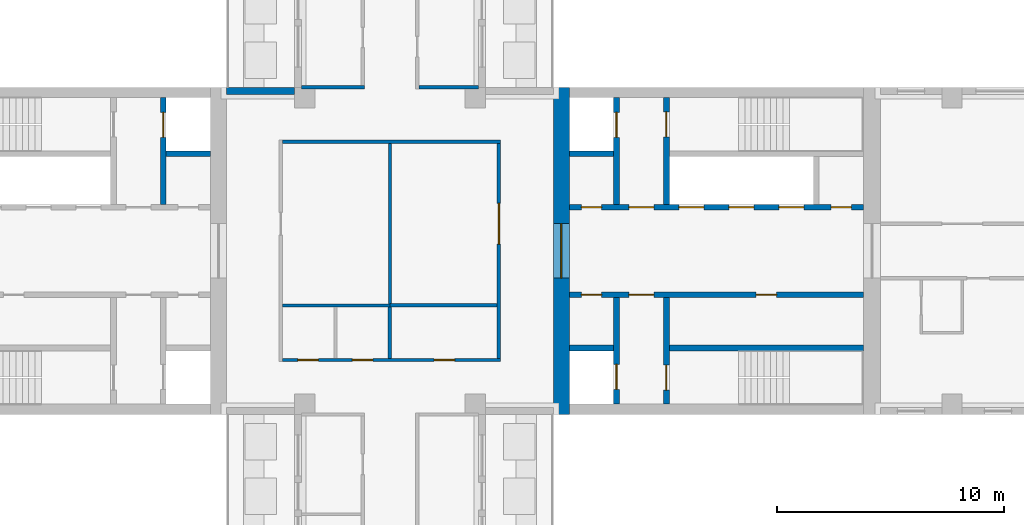
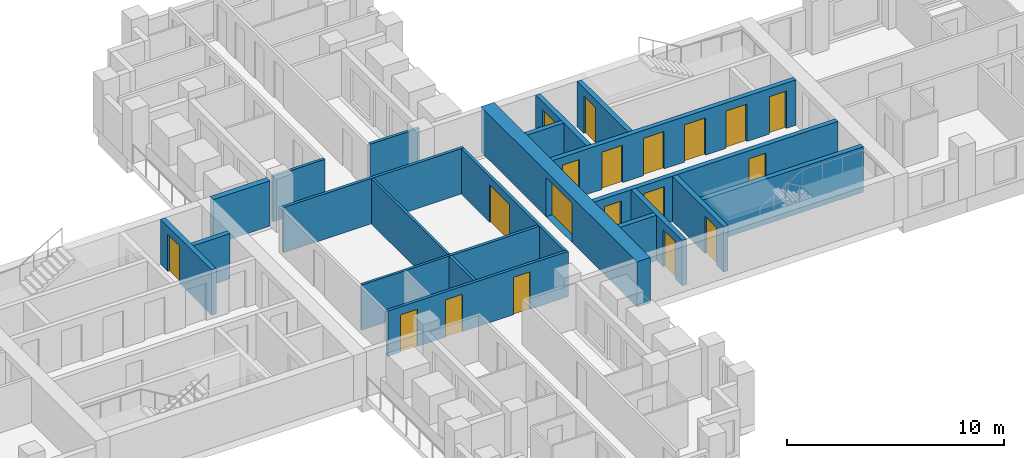
# One storey, part 6 of 12: 22 walls, 19 doors, 19 openings.
"""IFC4 building model written with IfcOpenShell, lengths in metres."""

from ifc_helpers import new_model, si_unit, direction, frame, frame_2d, origin, place, context, subcontext, project, spatial, rectangle, extrude, material, layer, layer_set, type_object, element, fill, save


model = new_model("IFC4")

# Units and contexts
model_context = context("Model", 3, precision=1e-05, world=origin(), true_north=direction((0.0, 1.0)))
body_context = subcontext(model_context, "Body", "Model", "MODEL_VIEW")
ifc_project = project(units=[si_unit("LENGTHUNIT", "METRE"), si_unit("AREAUNIT", "SQUARE_METRE"), si_unit("VOLUMEUNIT", "CUBIC_METRE"), si_unit("PLANEANGLEUNIT", "RADIAN"), si_unit("MASSUNIT", "GRAM", prefix="KILO")], contexts=[model_context])

# Site, building, storey
site_placement = place(None, origin())
site = spatial("IfcSite", under=ifc_project, at=site_placement, CompositionType="ELEMENT")
building_placement = place(site_placement, origin())
building = spatial("IfcBuilding", under=site, at=building_placement, Name="Fustian Cross Tower", CompositionType="ELEMENT")
storey_placement = place(building_placement, frame((0.0, 0.0, 159.300048828125)))
storey = spatial("IfcBuildingStorey", under=building, at=storey_placement, Name="L50", CompositionType="ELEMENT", Elevation=159.300048828125)

# Wall, openings, doors
ifc_material_1 = material(Name="Plasterboard on steel stud", Category="steel")
ifc_layer_1 = layer(ifc_material_1, 0.14990234375)
ifc_layer_set_1 = layer_set([ifc_layer_1], Name="Plasterboard on steel stud")
wall_type_1 = type_object("IfcWallType", Name="COMPARTMENT WALL 150 EI 60", PredefinedType="PARTITIONING", material=ifc_layer_set_1)
wall_1_placement = place(storey_placement, frame((-4.72509765625, -4.800048828125, 0.0), z_axis=(0.0, 0.0, 1.0), x_axis=(1.0, 0.0, 0.0)))
wall_1 = element("IfcWall", 1, at=wall_1_placement, inside=storey, type_object=wall_type_1, Name="Partition 13", PredefinedType="PARTITIONING", context=body_context, shape_type="SweptSolid", body=[
    extrude(rectangle(XDim=9.60009765625, YDim=0.14990234375, at=frame_2d((4.800048828125, 0.0))), origin(), (0.0, 0.0, 1.0), 2.550048828125),
])
opening_1_placement = place(wall_1_placement, frame((0.675048828125, 0.0, 0.0)))
opening_1 = element("IfcOpeningElement", 2, at=opening_1_placement, cuts=wall_1, Name="Opening D22001", PredefinedType="OPENING", context=body_context, shape_type="SweptSolid", body=[
    extrude(rectangle(XDim=0.89990234375, YDim=2.10009765625, at=frame_2d((0.449951171875, 1.050048828125))), frame((0.0, 0.0849609375, 0.0), z_axis=(0.0, -1.0, 0.0), x_axis=(1.0, 0.0, 0.0)), (0.0, 0.0, 1.0), 0.169921875),
])
opening_2_placement = place(wall_1_placement, frame((3.074951171875, 0.0, 0.0)))
opening_2 = element("IfcOpeningElement", 3, at=opening_2_placement, cuts=wall_1, Name="Opening D22002", PredefinedType="OPENING", context=body_context, shape_type="SweptSolid", body=[
    extrude(rectangle(XDim=0.89990234375, YDim=2.10009765625, at=frame_2d((0.449951171875, 1.050048828125))), frame((0.0, 0.0849609375, 0.0), z_axis=(0.0, -1.0, 0.0), x_axis=(1.0, 0.0, 0.0)), (0.0, 0.0, 1.0), 0.169921875),
])
opening_3_placement = place(wall_1_placement, frame((6.675048828125, 0.0, 0.0)))
opening_3 = element("IfcOpeningElement", 4, at=opening_3_placement, cuts=wall_1, Name="Opening D22003", PredefinedType="OPENING", context=body_context, shape_type="SweptSolid", body=[
    extrude(rectangle(XDim=0.89990234375, YDim=2.10009765625, at=frame_2d((0.449951171875, 1.050048828125))), frame((0.0, 0.0849609375, 0.0), z_axis=(0.0, -1.0, 0.0), x_axis=(1.0, 0.0, 0.0)), (0.0, 0.0, 1.0), 0.169921875),
])
ifc_material_2 = material(Name="Timber fire door set", Category="wood")
door_type_1 = type_object("IfcDoorType", Name="FIRE SWING DOOR 900 FD30S", OperationType="SINGLE_SWING_LEFT", PredefinedType="DOOR", material=ifc_material_2)
door_1_placement = place(opening_1_placement, origin())
door_1 = element("IfcDoor", 5, at=door_1_placement, inside=storey, type_object=door_type_1, Name="Door D22001", OperationType="SINGLE_SWING_LEFT", OverallHeight=2.10009765625, OverallWidth=0.89990234375, PredefinedType="DOOR", context=body_context, shape_type="SweptSolid", body=[
    extrude(rectangle(XDim=0.89990234375, YDim=2.10009765625, at=frame_2d((0.449951171875, 1.050048828125))), frame((0.0, 0.02490234375, 0.0), z_axis=(0.0, -1.0, 0.0), x_axis=(1.0, 0.0, 0.0)), (0.0, 0.0, 1.0), 0.050048828125),
])
fill(opening_1, door_1)
door_2_placement = place(opening_2_placement, origin())
door_2 = element("IfcDoor", 6, at=door_2_placement, inside=storey, type_object=door_type_1, Name="Door D22002", OperationType="SINGLE_SWING_LEFT", OverallHeight=2.10009765625, OverallWidth=0.89990234375, PredefinedType="DOOR", context=body_context, shape_type="SweptSolid", body=[
    extrude(rectangle(XDim=0.89990234375, YDim=2.10009765625, at=frame_2d((0.449951171875, 1.050048828125))), frame((0.0, 0.02490234375, 0.0), z_axis=(0.0, -1.0, 0.0), x_axis=(1.0, 0.0, 0.0)), (0.0, 0.0, 1.0), 0.050048828125),
])
fill(opening_2, door_2)
door_3_placement = place(opening_3_placement, origin())
door_3 = element("IfcDoor", 7, at=door_3_placement, inside=storey, type_object=door_type_1, Name="Door D22003", OperationType="SINGLE_SWING_LEFT", OverallHeight=2.10009765625, OverallWidth=0.89990234375, PredefinedType="DOOR", context=body_context, shape_type="SweptSolid", body=[
    extrude(rectangle(XDim=0.89990234375, YDim=2.10009765625, at=frame_2d((0.449951171875, 1.050048828125))), frame((0.0, 0.02490234375, 0.0), z_axis=(0.0, -1.0, 0.0), x_axis=(1.0, 0.0, 0.0)), (0.0, 0.0, 1.0), 0.050048828125),
])
fill(opening_3, door_3)

# Walls
wall_2_placement = place(storey_placement, frame((-4.72509765625, 4.800048828125, 0.0), z_axis=(0.0, 0.0, 1.0), x_axis=(1.0, 0.0, 0.0)))
element("IfcWall", 8, at=wall_2_placement, inside=storey, type_object=wall_type_1, Name="Partition 15", PredefinedType="PARTITIONING", context=body_context, shape_type="SweptSolid", body=[
    extrude(rectangle(XDim=9.60009765625, YDim=0.14990234375, at=frame_2d((4.800048828125, 0.0))), origin(), (0.0, 0.0, 1.0), 2.550048828125),
])
wall_3_placement = place(storey_placement, frame((-3.89990234375, 7.199951171875, 0.0), z_axis=(0.0, 0.0, 1.0), x_axis=(1.0, 0.0, 0.0)))
element("IfcWall", 9, at=wall_3_placement, inside=storey, type_object=wall_type_1, Name="Partition 19", PredefinedType="PARTITIONING", context=body_context, shape_type="SweptSolid", body=[
    extrude(rectangle(XDim=2.77490234375, YDim=0.14990234375, at=frame_2d((1.387451171875, 0.0))), origin(), (0.0, 0.0, 1.0), 2.550048828125),
])
wall_4_placement = place(storey_placement, frame((0.0, -4.72509765625, 0.0), z_axis=(0.0, 0.0, 1.0), x_axis=(0.0, 1.0, 0.0)))
element("IfcWall", 10, at=wall_4_placement, inside=storey, type_object=wall_type_1, Name="Partition 29", PredefinedType="PARTITIONING", context=body_context, shape_type="SweptSolid", body=[
    extrude(rectangle(XDim=2.25, YDim=0.14990234375, at=frame_2d((1.125, 0.0))), origin(), (0.0, 0.0, 1.0), 2.550048828125),
])
wall_5_placement = place(storey_placement, frame((0.0, -2.39990234375, 0.0), z_axis=(0.0, 0.0, 1.0), x_axis=(1.0, 0.0, 0.0)))
element("IfcWall", 11, at=wall_5_placement, inside=storey, type_object=wall_type_1, Name="Partition 31", PredefinedType="PARTITIONING", context=body_context, shape_type="SweptSolid", body=[
    extrude(rectangle(XDim=4.72509765625, YDim=0.14990234375, at=frame_2d((2.362548828125, 0.0))), origin(), (0.0, 0.0, 1.0), 2.550048828125),
])
wall_6_placement = place(storey_placement, frame((1.27490234375, 7.199951171875, 0.0), z_axis=(0.0, 0.0, 1.0), x_axis=(1.0, 0.0, 0.0)))
element("IfcWall", 12, at=wall_6_placement, inside=storey, type_object=wall_type_1, Name="Partition 38", PredefinedType="PARTITIONING", context=body_context, shape_type="SweptSolid", body=[
    extrude(rectangle(XDim=2.625, YDim=0.14990234375, at=frame_2d((1.3125, 0.0))), origin(), (0.0, 0.0, 1.0), 2.550048828125),
])

# Wall, opening, door
wall_7_placement = place(storey_placement, frame((4.800048828125, -4.72509765625, 0.0), z_axis=(0.0, 0.0, 1.0), x_axis=(0.0, 1.0, 0.0)))
wall_7 = element("IfcWall", 13, at=wall_7_placement, inside=storey, type_object=wall_type_1, Name="Partition 44", PredefinedType="PARTITIONING", context=body_context, shape_type="SweptSolid", body=[
    extrude(rectangle(XDim=9.4501953125, YDim=0.14990234375, at=frame_2d((4.72509765625, 0.0))), origin(), (0.0, 0.0, 1.0), 2.550048828125),
])
opening_4_placement = place(wall_7_placement, frame((5.02490234375, 0.0, 0.0)))
opening_4 = element("IfcOpeningElement", 14, at=opening_4_placement, cuts=wall_7, Name="Opening D22005", PredefinedType="OPENING", context=body_context, shape_type="SweptSolid", body=[
    extrude(rectangle(XDim=1.800048828125, YDim=2.10009765625, at=frame_2d((0.89990234375, 1.050048828125))), frame((0.0, 0.0849609375, 0.0), z_axis=(0.0, -1.0, 0.0), x_axis=(1.0, 0.0, 0.0)), (0.0, 0.0, 1.0), 0.169921875),
])
ifc_material_3 = material(Name="Timber fire door set", Category="wood")
door_type_2 = type_object("IfcDoorType", Name="FIRE DOUBLE DOOR 1800 FD30S", OperationType="DOUBLE_DOOR_DOUBLE_SWING", PredefinedType="DOOR", material=ifc_material_3)
door_4_placement = place(opening_4_placement, frame((1.800048828125, 0.0, 0.0), z_axis=(0.0, 0.0, 1.0), x_axis=(-1.0, 0.0, 0.0)))
door_4 = element("IfcDoor", 15, at=door_4_placement, inside=storey, type_object=door_type_2, Name="Door D22005", OperationType="DOUBLE_DOOR_DOUBLE_SWING", OverallHeight=2.10009765625, OverallWidth=1.800048828125, PredefinedType="DOOR", context=body_context, shape_type="SweptSolid", body=[
    extrude(rectangle(XDim=1.800048828125, YDim=2.10009765625, at=frame_2d((0.89990234375, 1.050048828125))), frame((0.0, 0.02490234375, 0.0), z_axis=(0.0, -1.0, 0.0), x_axis=(1.0, 0.0, 0.0)), (0.0, 0.0, 1.0), 0.050048828125),
])
fill(opening_4, door_4)

ifc_material_4 = material(Name="Concrete C60/75", Category="concrete")
ifc_layer_2 = layer(ifc_material_4, 0.699951171875)
ifc_layer_set_2 = layer_set([ifc_layer_2], Name="Concrete C60/75")
wall_type_2 = type_object("IfcWallType", Name="CORE END WALL 700 C60/75", PredefinedType="SHEAR", material=ifc_layer_set_2)
wall_8_placement = place(storey_placement, frame((7.550048828125, -7.199951171875, 0.0), z_axis=(0.0, 0.0, 1.0), x_axis=(0.0, 1.0, 0.0)))
wall_8 = element("IfcWall", 16, at=wall_8_placement, inside=storey, type_object=wall_type_2, Name="Core end wall", PredefinedType="SHEAR", context=body_context, shape_type="SweptSolid", body=[
    extrude(rectangle(XDim=14.39990234375, YDim=0.699951171875, at=frame_2d((7.199951171875, 0.0))), origin(), (0.0, 0.0, 1.0), 2.550048828125),
])
opening_5_placement = place(wall_8_placement, frame((6.0, 0.0, 0.0)))
opening_5 = element("IfcOpeningElement", 17, at=opening_5_placement, cuts=wall_8, Name="Opening CD-19-12", PredefinedType="OPENING", context=body_context, shape_type="SweptSolid", body=[
    extrude(rectangle(XDim=2.39990234375, YDim=2.199951171875, at=frame_2d((1.199951171875, 1.10009765625))), frame((0.0, 0.35986328125, 0.0), z_axis=(0.0, -1.0, 0.0), x_axis=(1.0, 0.0, 0.0)), (0.0, 0.0, 1.0), 0.719970703125),
])
ifc_material_5 = material(Name="Steel", Category="steel")
door_type_3 = type_object("IfcDoorType", Name="FIRE DOOR FD30S DOUBLE 2400X2200", OperationType="DOUBLE_DOOR_DOUBLE_SWING", PredefinedType="DOOR", material=ifc_material_5)
door_5_placement = place(opening_5_placement, origin())
door_5 = element("IfcDoor", 18, at=door_5_placement, inside=storey, type_object=door_type_3, Name="Core door CD-19-12", OperationType="DOUBLE_DOOR_DOUBLE_SWING", OverallHeight=2.199951171875, OverallWidth=2.39990234375, PredefinedType="DOOR", context=body_context, shape_type="SweptSolid", body=[
    extrude(rectangle(XDim=2.39990234375, YDim=2.199951171875, at=frame_2d((1.199951171875, 1.10009765625))), frame((0.0, 0.02490234375, 0.0), z_axis=(0.0, -1.0, 0.0), x_axis=(1.0, 0.0, 0.0)), (0.0, 0.0, 1.0), 0.050048828125),
])
fill(opening_5, door_5)

# Wall, openings, doors
ifc_material_6 = material(Name="Concrete C50/60", Category="concrete")
ifc_layer_3 = layer(ifc_material_6, 0.25)
ifc_layer_set_3 = layer_set([ifc_layer_3], Name="Concrete C50/60")
wall_type_3 = type_object("IfcWallType", Name="CORE LOBBY WALL 250 C50/60", PredefinedType="SHEAR", material=ifc_layer_set_3)
wall_9_placement = place(storey_placement, frame((7.89990234375, 1.925048828125, 0.0), z_axis=(0.0, 0.0, 1.0), x_axis=(1.0, 0.0, 0.0)))
wall_9 = element("IfcWall", 19, at=wall_9_placement, inside=storey, type_object=wall_type_3, Name="Core lobby wall", PredefinedType="SHEAR", context=body_context, shape_type="SweptSolid", body=[
    extrude(rectangle(XDim=12.9501953125, YDim=0.25, at=frame_2d((6.47509765625, 0.0))), origin(), (0.0, 0.0, 1.0), 2.550048828125),
])
opening_6_placement = place(wall_9_placement, frame((4.824951171875, 0.0, 0.0)))
opening_6 = element("IfcOpeningElement", 20, at=opening_6_placement, cuts=wall_9, Name="Opening LD", PredefinedType="OPENING", context=body_context, shape_type="SweptSolid", body=[
    extrude(rectangle(XDim=1.10009765625, YDim=2.10009765625, at=frame_2d((0.550048828125, 1.050048828125))), frame((0.0, 0.135009765625, 0.0), z_axis=(0.0, -1.0, 0.0), x_axis=(1.0, 0.0, 0.0)), (0.0, 0.0, 1.0), 0.27001953125),
])
opening_7_placement = place(wall_9_placement, frame((7.02490234375, 0.0, 0.0)))
opening_7 = element("IfcOpeningElement", 21, at=opening_7_placement, cuts=wall_9, Name="Opening LD", PredefinedType="OPENING", context=body_context, shape_type="SweptSolid", body=[
    extrude(rectangle(XDim=1.10009765625, YDim=2.10009765625, at=frame_2d((0.550048828125, 1.050048828125))), frame((0.0, 0.135009765625, 0.0), z_axis=(0.0, -1.0, 0.0), x_axis=(1.0, 0.0, 0.0)), (0.0, 0.0, 1.0), 0.27001953125),
])
opening_8_placement = place(wall_9_placement, frame((9.22509765625, 0.0, 0.0)))
opening_8 = element("IfcOpeningElement", 22, at=opening_8_placement, cuts=wall_9, Name="Opening LD", PredefinedType="OPENING", context=body_context, shape_type="SweptSolid", body=[
    extrude(rectangle(XDim=1.10009765625, YDim=2.10009765625, at=frame_2d((0.550048828125, 1.050048828125))), frame((0.0, 0.135009765625, 0.0), z_axis=(0.0, -1.0, 0.0), x_axis=(1.0, 0.0, 0.0)), (0.0, 0.0, 1.0), 0.27001953125),
])
opening_9_placement = place(wall_9_placement, frame((0.52490234375, 0.0, 0.0)))
opening_9 = element("IfcOpeningElement", 23, at=opening_9_placement, cuts=wall_9, Name="Opening CD-19-08", PredefinedType="OPENING", context=body_context, shape_type="SweptSolid", body=[
    extrude(rectangle(XDim=0.89990234375, YDim=2.10009765625, at=frame_2d((0.449951171875, 1.050048828125))), frame((0.0, 0.135009765625, 0.0), z_axis=(0.0, -1.0, 0.0), x_axis=(1.0, 0.0, 0.0)), (0.0, 0.0, 1.0), 0.27001953125),
])
opening_10_placement = place(wall_9_placement, frame((2.625, 0.0, 0.0)))
opening_10 = element("IfcOpeningElement", 24, at=opening_10_placement, cuts=wall_9, Name="Opening CD-19-10", PredefinedType="OPENING", context=body_context, shape_type="SweptSolid", body=[
    extrude(rectangle(XDim=1.10009765625, YDim=2.10009765625, at=frame_2d((0.550048828125, 1.050048828125))), frame((0.0, 0.135009765625, 0.0), z_axis=(0.0, -1.0, 0.0), x_axis=(1.0, 0.0, 0.0)), (0.0, 0.0, 1.0), 0.27001953125),
])
opening_11_placement = place(wall_9_placement, frame((11.52490234375, 0.0, 0.0)))
opening_11 = element("IfcOpeningElement", 25, at=opening_11_placement, cuts=wall_9, Name="Opening CD-19-14", PredefinedType="OPENING", context=body_context, shape_type="SweptSolid", body=[
    extrude(rectangle(XDim=0.89990234375, YDim=2.10009765625, at=frame_2d((0.449951171875, 1.050048828125))), frame((0.0, 0.135009765625, 0.0), z_axis=(0.0, -1.0, 0.0), x_axis=(1.0, 0.0, 0.0)), (0.0, 0.0, 1.0), 0.27001953125),
])
ifc_material_7 = material(Name="Steel", Category="steel")
door_type_4 = type_object("IfcDoorType", Name="FIRE DOOR FD30S 900X2100", OperationType="SINGLE_SWING_LEFT", PredefinedType="DOOR", material=ifc_material_7)
door_6_placement = place(opening_11_placement, origin())
door_6 = element("IfcDoor", 26, at=door_6_placement, inside=storey, type_object=door_type_4, Name="Core door CD-19-14", OperationType="SINGLE_SWING_LEFT", OverallHeight=2.10009765625, OverallWidth=0.89990234375, PredefinedType="DOOR", context=body_context, shape_type="SweptSolid", body=[
    extrude(rectangle(XDim=0.89990234375, YDim=2.10009765625, at=frame_2d((0.449951171875, 1.050048828125))), frame((0.0, 0.02490234375, 0.0), z_axis=(0.0, -1.0, 0.0), x_axis=(1.0, 0.0, 0.0)), (0.0, 0.0, 1.0), 0.050048828125),
])
fill(opening_11, door_6)
ifc_material_8 = material(Name="Steel", Category="steel")
door_type_5 = type_object("IfcDoorType", Name="FIRE DOOR FD60S 1100X2100", OperationType="SINGLE_SWING_LEFT", PredefinedType="DOOR", material=ifc_material_8)
door_7_placement = place(opening_10_placement, frame((1.10009765625, 0.0, 0.0), z_axis=(0.0, 0.0, 1.0), x_axis=(-1.0, 0.0, 0.0)))
door_7 = element("IfcDoor", 27, at=door_7_placement, inside=storey, type_object=door_type_5, Name="Core door CD-19-10", OperationType="SINGLE_SWING_RIGHT", OverallHeight=2.10009765625, OverallWidth=1.10009765625, PredefinedType="DOOR", context=body_context, shape_type="SweptSolid", body=[
    extrude(rectangle(XDim=1.10009765625, YDim=2.10009765625, at=frame_2d((0.550048828125, 1.050048828125))), frame((0.0, 0.02490234375, 0.0), z_axis=(0.0, -1.0, 0.0), x_axis=(1.0, 0.0, 0.0)), (0.0, 0.0, 1.0), 0.050048828125),
])
fill(opening_10, door_7)
ifc_material_9 = material(Name="Steel", Category="steel")
door_type_6 = type_object("IfcDoorType", Name="FIRE DOOR FD60S 900X2100", OperationType="SINGLE_SWING_LEFT", PredefinedType="DOOR", material=ifc_material_9)
door_8_placement = place(opening_9_placement, origin())
door_8 = element("IfcDoor", 28, at=door_8_placement, inside=storey, type_object=door_type_6, Name="Core door CD-19-08", OperationType="SINGLE_SWING_LEFT", OverallHeight=2.10009765625, OverallWidth=0.89990234375, PredefinedType="DOOR", context=body_context, shape_type="SweptSolid", body=[
    extrude(rectangle(XDim=0.89990234375, YDim=2.10009765625, at=frame_2d((0.449951171875, 1.050048828125))), frame((0.0, 0.02490234375, 0.0), z_axis=(0.0, -1.0, 0.0), x_axis=(1.0, 0.0, 0.0)), (0.0, 0.0, 1.0), 0.050048828125),
])
fill(opening_9, door_8)
ifc_material_10 = material(Name="Stainless steel", Category="steel")
door_type_7 = type_object("IfcDoorType", Name="LIFT LANDING DOOR 1100X2100", OperationType="SLIDING_TO_LEFT", PredefinedType="DOOR", material=ifc_material_10)
door_9_placement = place(opening_6_placement, origin())
door_9 = element("IfcDoor", 29, at=door_9_placement, inside=storey, type_object=door_type_7, Name="Landing door HR1", OperationType="SLIDING_TO_LEFT", OverallHeight=2.10009765625, OverallWidth=1.10009765625, PredefinedType="DOOR", context=body_context, shape_type="SweptSolid", body=[
    extrude(rectangle(XDim=1.10009765625, YDim=2.10009765625, at=frame_2d((0.550048828125, 1.050048828125))), frame((0.0, 0.02490234375, 0.0), z_axis=(0.0, -1.0, 0.0), x_axis=(1.0, 0.0, 0.0)), (0.0, 0.0, 1.0), 0.050048828125),
])
fill(opening_6, door_9)
door_10_placement = place(opening_7_placement, origin())
door_10 = element("IfcDoor", 30, at=door_10_placement, inside=storey, type_object=door_type_7, Name="Landing door HR2", OperationType="SLIDING_TO_LEFT", OverallHeight=2.10009765625, OverallWidth=1.10009765625, PredefinedType="DOOR", context=body_context, shape_type="SweptSolid", body=[
    extrude(rectangle(XDim=1.10009765625, YDim=2.10009765625, at=frame_2d((0.550048828125, 1.050048828125))), frame((0.0, 0.02490234375, 0.0), z_axis=(0.0, -1.0, 0.0), x_axis=(1.0, 0.0, 0.0)), (0.0, 0.0, 1.0), 0.050048828125),
])
fill(opening_7, door_10)
door_11_placement = place(opening_8_placement, origin())
door_11 = element("IfcDoor", 31, at=door_11_placement, inside=storey, type_object=door_type_7, Name="Landing door HR3", OperationType="SLIDING_TO_LEFT", OverallHeight=2.10009765625, OverallWidth=1.10009765625, PredefinedType="DOOR", context=body_context, shape_type="SweptSolid", body=[
    extrude(rectangle(XDim=1.10009765625, YDim=2.10009765625, at=frame_2d((0.550048828125, 1.050048828125))), frame((0.0, 0.02490234375, 0.0), z_axis=(0.0, -1.0, 0.0), x_axis=(1.0, 0.0, 0.0)), (0.0, 0.0, 1.0), 0.050048828125),
])
fill(opening_8, door_11)

wall_10_placement = place(storey_placement, frame((7.89990234375, -1.925048828125, 0.0), z_axis=(0.0, 0.0, 1.0), x_axis=(1.0, 0.0, 0.0)))
wall_10 = element("IfcWall", 32, at=wall_10_placement, inside=storey, type_object=wall_type_3, Name="Core lobby wall", PredefinedType="SHEAR", context=body_context, shape_type="SweptSolid", body=[
    extrude(rectangle(XDim=12.9501953125, YDim=0.25, at=frame_2d((6.47509765625, 0.0))), origin(), (0.0, 0.0, 1.0), 2.550048828125),
])
opening_12_placement = place(wall_10_placement, frame((0.52490234375, 0.0, 0.0)))
opening_12 = element("IfcOpeningElement", 33, at=opening_12_placement, cuts=wall_10, Name="Opening CD-19-09", PredefinedType="OPENING", context=body_context, shape_type="SweptSolid", body=[
    extrude(rectangle(XDim=0.89990234375, YDim=2.10009765625, at=frame_2d((0.449951171875, 1.050048828125))), frame((0.0, 0.135009765625, 0.0), z_axis=(0.0, -1.0, 0.0), x_axis=(1.0, 0.0, 0.0)), (0.0, 0.0, 1.0), 0.27001953125),
])
opening_13_placement = place(wall_10_placement, frame((2.625, 0.0, 0.0)))
opening_13 = element("IfcOpeningElement", 34, at=opening_13_placement, cuts=wall_10, Name="Opening CD-19-11", PredefinedType="OPENING", context=body_context, shape_type="SweptSolid", body=[
    extrude(rectangle(XDim=1.10009765625, YDim=2.10009765625, at=frame_2d((0.550048828125, 1.050048828125))), frame((0.0, 0.135009765625, 0.0), z_axis=(0.0, -1.0, 0.0), x_axis=(1.0, 0.0, 0.0)), (0.0, 0.0, 1.0), 0.27001953125),
])
opening_14_placement = place(wall_10_placement, frame((8.22509765625, 0.0, 0.0)))
opening_14 = element("IfcOpeningElement", 35, at=opening_14_placement, cuts=wall_10, Name="Opening CD-19-15", PredefinedType="OPENING", context=body_context, shape_type="SweptSolid", body=[
    extrude(rectangle(XDim=0.89990234375, YDim=2.10009765625, at=frame_2d((0.449951171875, 1.050048828125))), frame((0.0, 0.135009765625, 0.0), z_axis=(0.0, -1.0, 0.0), x_axis=(1.0, 0.0, 0.0)), (0.0, 0.0, 1.0), 0.27001953125),
])
ifc_material_11 = material(Name="Steel", Category="steel")
door_type_8 = type_object("IfcDoorType", Name="FIRE DOOR FD30S 1100X2100", OperationType="SINGLE_SWING_LEFT", PredefinedType="DOOR", material=ifc_material_11)
door_12_placement = place(opening_13_placement, frame((1.10009765625, 0.0, 0.0), z_axis=(0.0, 0.0, 1.0), x_axis=(-1.0, 0.0, 0.0)))
door_12 = element("IfcDoor", 36, at=door_12_placement, inside=storey, type_object=door_type_8, Name="Core door CD-19-11", OperationType="SINGLE_SWING_RIGHT", OverallHeight=2.10009765625, OverallWidth=1.10009765625, PredefinedType="DOOR", context=body_context, shape_type="SweptSolid", body=[
    extrude(rectangle(XDim=1.10009765625, YDim=2.10009765625, at=frame_2d((0.550048828125, 1.050048828125))), frame((0.0, 0.02490234375, 0.0), z_axis=(0.0, -1.0, 0.0), x_axis=(1.0, 0.0, 0.0)), (0.0, 0.0, 1.0), 0.050048828125),
])
fill(opening_13, door_12)
door_13_placement = place(opening_12_placement, frame((0.89990234375, 0.0, 0.0), z_axis=(0.0, 0.0, 1.0), x_axis=(-1.0, 0.0, 0.0)))
door_13 = element("IfcDoor", 37, at=door_13_placement, inside=storey, type_object=door_type_4, Name="Core door CD-19-09", OperationType="SINGLE_SWING_RIGHT", OverallHeight=2.10009765625, OverallWidth=0.89990234375, PredefinedType="DOOR", context=body_context, shape_type="SweptSolid", body=[
    extrude(rectangle(XDim=0.89990234375, YDim=2.10009765625, at=frame_2d((0.449951171875, 1.050048828125))), frame((0.0, 0.02490234375, 0.0), z_axis=(0.0, -1.0, 0.0), x_axis=(1.0, 0.0, 0.0)), (0.0, 0.0, 1.0), 0.050048828125),
])
fill(opening_12, door_13)
door_14_placement = place(opening_14_placement, frame((0.89990234375, 0.0, 0.0), z_axis=(0.0, 0.0, 1.0), x_axis=(-1.0, 0.0, 0.0)))
door_14 = element("IfcDoor", 38, at=door_14_placement, inside=storey, type_object=door_type_4, Name="Core door CD-19-15", OperationType="SINGLE_SWING_LEFT", OverallHeight=2.10009765625, OverallWidth=0.89990234375, PredefinedType="DOOR", context=body_context, shape_type="SweptSolid", body=[
    extrude(rectangle(XDim=0.89990234375, YDim=2.10009765625, at=frame_2d((0.449951171875, 1.050048828125))), frame((0.0, 0.02490234375, 0.0), z_axis=(0.0, -1.0, 0.0), x_axis=(1.0, 0.0, 0.0)), (0.0, 0.0, 1.0), 0.050048828125),
])
fill(opening_14, door_14)

# Wall
ifc_material_12 = material(Name="Concrete C50/60", Category="concrete")
ifc_layer_4 = layer(ifc_material_12, 0.25)
ifc_layer_set_4 = layer_set([ifc_layer_4], Name="Concrete C50/60")
wall_type_4 = type_object("IfcWallType", Name="CORE SHAFT WALL 250 C50/60", PredefinedType="SHEAR", material=ifc_layer_set_4)
wall_11_placement = place(storey_placement, frame((7.89990234375, 4.27490234375, 0.0), z_axis=(0.0, 0.0, 1.0), x_axis=(1.0, 0.0, 0.0)))
element("IfcWall", 39, at=wall_11_placement, inside=storey, type_object=wall_type_4, Name="Core shaft wall", PredefinedType="SHEAR", context=body_context, shape_type="SweptSolid", body=[
    extrude(rectangle(XDim=1.9501953125, YDim=0.25, at=frame_2d((0.97509765625, 0.0))), origin(), (0.0, 0.0, 1.0), 2.550048828125),
])

# Wall, opening, door
wall_12_placement = place(storey_placement, frame((9.97509765625, 2.050048828125, 0.0), z_axis=(0.0, 0.0, 1.0), x_axis=(0.0, 1.0, 0.0)))
wall_12 = element("IfcWall", 40, at=wall_12_placement, inside=storey, type_object=wall_type_4, Name="Core shaft wall", PredefinedType="SHEAR", context=body_context, shape_type="SweptSolid", body=[
    extrude(rectangle(XDim=4.699951171875, YDim=0.25, at=frame_2d((2.35009765625, 0.0))), origin(), (0.0, 0.0, 1.0), 2.550048828125),
])
opening_15_placement = place(wall_12_placement, frame((2.949951171875, 0.0, 0.0)))
opening_15 = element("IfcOpeningElement", 41, at=opening_15_placement, cuts=wall_12, Name="Opening LD", PredefinedType="OPENING", context=body_context, shape_type="SweptSolid", body=[
    extrude(rectangle(XDim=1.10009765625, YDim=2.10009765625, at=frame_2d((0.550048828125, 1.050048828125))), frame((0.0, 0.135009765625, 0.0), z_axis=(0.0, -1.0, 0.0), x_axis=(1.0, 0.0, 0.0)), (0.0, 0.0, 1.0), 0.27001953125),
])
door_15_placement = place(opening_15_placement, origin())
door_15 = element("IfcDoor", 42, at=door_15_placement, inside=storey, type_object=door_type_7, Name="Landing door FL1", OperationType="SLIDING_TO_LEFT", OverallHeight=2.10009765625, OverallWidth=1.10009765625, PredefinedType="DOOR", context=body_context, shape_type="SweptSolid", body=[
    extrude(rectangle(XDim=1.10009765625, YDim=2.10009765625, at=frame_2d((0.550048828125, 1.050048828125))), frame((0.0, 0.02490234375, 0.0), z_axis=(0.0, -1.0, 0.0), x_axis=(1.0, 0.0, 0.0)), (0.0, 0.0, 1.0), 0.050048828125),
])
fill(opening_15, door_15)

wall_13_placement = place(storey_placement, frame((12.175048828125, 2.050048828125, 0.0), z_axis=(0.0, 0.0, 1.0), x_axis=(0.0, 1.0, 0.0)))
wall_13 = element("IfcWall", 43, at=wall_13_placement, inside=storey, type_object=wall_type_4, Name="Core shaft wall", PredefinedType="SHEAR", context=body_context, shape_type="SweptSolid", body=[
    extrude(rectangle(XDim=4.699951171875, YDim=0.25, at=frame_2d((2.35009765625, 0.0))), origin(), (0.0, 0.0, 1.0), 2.550048828125),
])
opening_16_placement = place(wall_13_placement, frame((2.97509765625, 0.0, 0.0)))
opening_16 = element("IfcOpeningElement", 44, at=opening_16_placement, cuts=wall_13, Name="Opening CD-19-06", PredefinedType="OPENING", context=body_context, shape_type="SweptSolid", body=[
    extrude(rectangle(XDim=1.10009765625, YDim=2.10009765625, at=frame_2d((0.550048828125, 1.050048828125))), frame((0.0, 0.135009765625, 0.0), z_axis=(0.0, -1.0, 0.0), x_axis=(1.0, 0.0, 0.0)), (0.0, 0.0, 1.0), 0.27001953125),
])
door_16_placement = place(opening_16_placement, frame((1.10009765625, 0.0, 0.0), z_axis=(0.0, 0.0, 1.0), x_axis=(-1.0, 0.0, 0.0)))
door_16 = element("IfcDoor", 45, at=door_16_placement, inside=storey, type_object=door_type_5, Name="Core door CD-19-06", OperationType="SINGLE_SWING_RIGHT", OverallHeight=2.10009765625, OverallWidth=1.10009765625, PredefinedType="DOOR", context=body_context, shape_type="SweptSolid", body=[
    extrude(rectangle(XDim=1.10009765625, YDim=2.10009765625, at=frame_2d((0.550048828125, 1.050048828125))), frame((0.0, 0.02490234375, 0.0), z_axis=(0.0, -1.0, 0.0), x_axis=(1.0, 0.0, 0.0)), (0.0, 0.0, 1.0), 0.050048828125),
])
fill(opening_16, door_16)

# Walls
wall_14_placement = place(storey_placement, frame((7.89990234375, -4.27490234375, 0.0), z_axis=(0.0, 0.0, 1.0), x_axis=(1.0, 0.0, 0.0)))
element("IfcWall", 46, at=wall_14_placement, inside=storey, type_object=wall_type_4, Name="Core shaft wall", PredefinedType="SHEAR", context=body_context, shape_type="SweptSolid", body=[
    extrude(rectangle(XDim=1.9501953125, YDim=0.25, at=frame_2d((0.97509765625, 0.0))), origin(), (0.0, 0.0, 1.0), 2.550048828125),
])
wall_15_placement = place(storey_placement, frame((12.300048828125, -4.27490234375, 0.0), z_axis=(0.0, 0.0, 1.0), x_axis=(1.0, 0.0, 0.0)))
element("IfcWall", 47, at=wall_15_placement, inside=storey, type_object=wall_type_4, Name="Core shaft wall", PredefinedType="SHEAR", context=body_context, shape_type="SweptSolid", body=[
    extrude(rectangle(XDim=8.550048828125, YDim=0.25, at=frame_2d((4.27490234375, 0.0))), origin(), (0.0, 0.0, 1.0), 2.550048828125),
])

# Wall, opening, door
wall_16_placement = place(storey_placement, frame((9.97509765625, -2.050048828125, 0.0), z_axis=(0.0, 0.0, 1.0), x_axis=(0.0, -1.0, 0.0)))
wall_16 = element("IfcWall", 48, at=wall_16_placement, inside=storey, type_object=wall_type_4, Name="Core shaft wall", PredefinedType="SHEAR", context=body_context, shape_type="SweptSolid", body=[
    extrude(rectangle(XDim=4.699951171875, YDim=0.25, at=frame_2d((2.35009765625, 0.0))), origin(), (0.0, 0.0, 1.0), 2.550048828125),
])
opening_17_placement = place(wall_16_placement, frame((2.949951171875, 0.0, 0.0)))
opening_17 = element("IfcOpeningElement", 49, at=opening_17_placement, cuts=wall_16, Name="Opening LD", PredefinedType="OPENING", context=body_context, shape_type="SweptSolid", body=[
    extrude(rectangle(XDim=1.10009765625, YDim=2.10009765625, at=frame_2d((0.550048828125, 1.050048828125))), frame((0.0, 0.135009765625, 0.0), z_axis=(0.0, -1.0, 0.0), x_axis=(1.0, 0.0, 0.0)), (0.0, 0.0, 1.0), 0.27001953125),
])
door_17_placement = place(opening_17_placement, origin())
door_17 = element("IfcDoor", 50, at=door_17_placement, inside=storey, type_object=door_type_7, Name="Landing door SV1", OperationType="SLIDING_TO_LEFT", OverallHeight=2.10009765625, OverallWidth=1.10009765625, PredefinedType="DOOR", context=body_context, shape_type="SweptSolid", body=[
    extrude(rectangle(XDim=1.10009765625, YDim=2.10009765625, at=frame_2d((0.550048828125, 1.050048828125))), frame((0.0, 0.02490234375, 0.0), z_axis=(0.0, -1.0, 0.0), x_axis=(1.0, 0.0, 0.0)), (0.0, 0.0, 1.0), 0.050048828125),
])
fill(opening_17, door_17)

wall_17_placement = place(storey_placement, frame((12.175048828125, -2.050048828125, 0.0), z_axis=(0.0, 0.0, 1.0), x_axis=(0.0, -1.0, 0.0)))
wall_17 = element("IfcWall", 51, at=wall_17_placement, inside=storey, type_object=wall_type_4, Name="Core shaft wall", PredefinedType="SHEAR", context=body_context, shape_type="SweptSolid", body=[
    extrude(rectangle(XDim=4.699951171875, YDim=0.25, at=frame_2d((2.35009765625, 0.0))), origin(), (0.0, 0.0, 1.0), 2.550048828125),
])
opening_18_placement = place(wall_17_placement, frame((2.97509765625, 0.0, 0.0)))
opening_18 = element("IfcOpeningElement", 52, at=opening_18_placement, cuts=wall_17, Name="Opening CD-19-07", PredefinedType="OPENING", context=body_context, shape_type="SweptSolid", body=[
    extrude(rectangle(XDim=1.10009765625, YDim=2.10009765625, at=frame_2d((0.550048828125, 1.050048828125))), frame((0.0, 0.135009765625, 0.0), z_axis=(0.0, -1.0, 0.0), x_axis=(1.0, 0.0, 0.0)), (0.0, 0.0, 1.0), 0.27001953125),
])
door_18_placement = place(opening_18_placement, origin())
door_18 = element("IfcDoor", 53, at=door_18_placement, inside=storey, type_object=door_type_5, Name="Core door CD-19-07", OperationType="SINGLE_SWING_LEFT", OverallHeight=2.10009765625, OverallWidth=1.10009765625, PredefinedType="DOOR", context=body_context, shape_type="SweptSolid", body=[
    extrude(rectangle(XDim=1.10009765625, YDim=2.10009765625, at=frame_2d((0.550048828125, 1.050048828125))), frame((0.0, 0.02490234375, 0.0), z_axis=(0.0, -1.0, 0.0), x_axis=(1.0, 0.0, 0.0)), (0.0, 0.0, 1.0), 0.050048828125),
])
fill(opening_18, door_18)

# Wall
wall_18_placement = place(storey_placement, frame((-7.89990234375, 4.27490234375, 0.0), z_axis=(0.0, 0.0, 1.0), x_axis=(-1.0, 0.0, 0.0)))
element("IfcWall", 54, at=wall_18_placement, inside=storey, type_object=wall_type_4, Name="Core shaft wall", PredefinedType="SHEAR", context=body_context, shape_type="SweptSolid", body=[
    extrude(rectangle(XDim=1.9501953125, YDim=0.25, at=frame_2d((0.97509765625, 0.0))), origin(), (0.0, 0.0, 1.0), 2.550048828125),
])

# Wall, opening, door
wall_19_placement = place(storey_placement, frame((-9.97509765625, 2.050048828125, 0.0), z_axis=(0.0, 0.0, 1.0), x_axis=(0.0, 1.0, 0.0)))
wall_19 = element("IfcWall", 55, at=wall_19_placement, inside=storey, type_object=wall_type_4, Name="Core shaft wall", PredefinedType="SHEAR", context=body_context, shape_type="SweptSolid", body=[
    extrude(rectangle(XDim=4.699951171875, YDim=0.25, at=frame_2d((2.35009765625, 0.0))), origin(), (0.0, 0.0, 1.0), 2.550048828125),
])
opening_19_placement = place(wall_19_placement, frame((2.949951171875, 0.0, 0.0)))
opening_19 = element("IfcOpeningElement", 56, at=opening_19_placement, cuts=wall_19, Name="Opening LD", PredefinedType="OPENING", context=body_context, shape_type="SweptSolid", body=[
    extrude(rectangle(XDim=1.10009765625, YDim=2.10009765625, at=frame_2d((0.550048828125, 1.050048828125))), frame((0.0, 0.135009765625, 0.0), z_axis=(0.0, -1.0, 0.0), x_axis=(1.0, 0.0, 0.0)), (0.0, 0.0, 1.0), 0.27001953125),
])
door_19_placement = place(opening_19_placement, origin())
door_19 = element("IfcDoor", 57, at=door_19_placement, inside=storey, type_object=door_type_7, Name="Landing door FL1W", OperationType="SLIDING_TO_LEFT", OverallHeight=2.10009765625, OverallWidth=1.10009765625, PredefinedType="DOOR", context=body_context, shape_type="SweptSolid", body=[
    extrude(rectangle(XDim=1.10009765625, YDim=2.10009765625, at=frame_2d((0.550048828125, 1.050048828125))), frame((0.0, 0.02490234375, 0.0), z_axis=(0.0, -1.0, 0.0), x_axis=(1.0, 0.0, 0.0)), (0.0, 0.0, 1.0), 0.050048828125),
])
fill(opening_19, door_19)

# Walls
ifc_material_13 = material(Name="Plasterboard on steel stud", Category="steel")
ifc_layer_5 = layer(ifc_material_13, 0.125)
ifc_layer_set_5 = layer_set([ifc_layer_5], Name="Plasterboard on steel stud")
wall_type_5 = type_object("IfcWallType", Name="WET WALL 125 STUD", PredefinedType="PARTITIONING", material=ifc_layer_set_5)
wall_20_placement = place(storey_placement, frame((-4.72509765625, -2.39990234375, 0.0), z_axis=(0.0, 0.0, 1.0), x_axis=(1.0, 0.0, 0.0)))
element("IfcWall", 58, at=wall_20_placement, inside=storey, type_object=wall_type_5, Name="Partition 14", PredefinedType="PARTITIONING", context=body_context, shape_type="SweptSolid", body=[
    extrude(rectangle(XDim=4.72509765625, YDim=0.125, at=frame_2d((2.362548828125, 0.0))), origin(), (0.0, 0.0, 1.0), 2.550048828125),
])
wall_21_placement = place(storey_placement, frame((0.0, -2.324951171875, 0.0), z_axis=(0.0, 0.0, 1.0), x_axis=(0.0, 1.0, 0.0)))
element("IfcWall", 59, at=wall_21_placement, inside=storey, type_object=wall_type_5, Name="Partition 30", PredefinedType="PARTITIONING", context=body_context, shape_type="SweptSolid", body=[
    extrude(rectangle(XDim=7.050048828125, YDim=0.125, at=frame_2d((3.52490234375, 0.0))), origin(), (0.0, 0.0, 1.0), 2.550048828125),
])
ifc_material_14 = material(Name="Dark aluminium cladding on insulated backing wall", Category="aluminium")
ifc_layer_6 = layer(ifc_material_14, 0.300048828125)
ifc_layer_set_6 = layer_set([ifc_layer_6], Name="Dark aluminium cladding on insulated backing wall")
wall_type_6 = type_object("IfcWallType", Name="XW1 EXTERNAL WALL 300", PredefinedType="SOLIDWALL", material=ifc_layer_set_6)
wall_22_placement = place(storey_placement, frame((-4.199951171875, 7.050048828125, 0.0), z_axis=(0.0, 0.0, 1.0), x_axis=(-1.0, 0.0, 0.0)))
element("IfcWall", 60, at=wall_22_placement, inside=storey, type_object=wall_type_6, Name="External wall", PredefinedType="SOLIDWALL", context=body_context, shape_type="SweptSolid", body=[
    extrude(rectangle(XDim=3.0, YDim=0.300048828125, at=frame_2d((1.5, 0.0))), origin(), (0.0, 0.0, 1.0), 2.550048828125),
])

save(model, "model.ifc")
